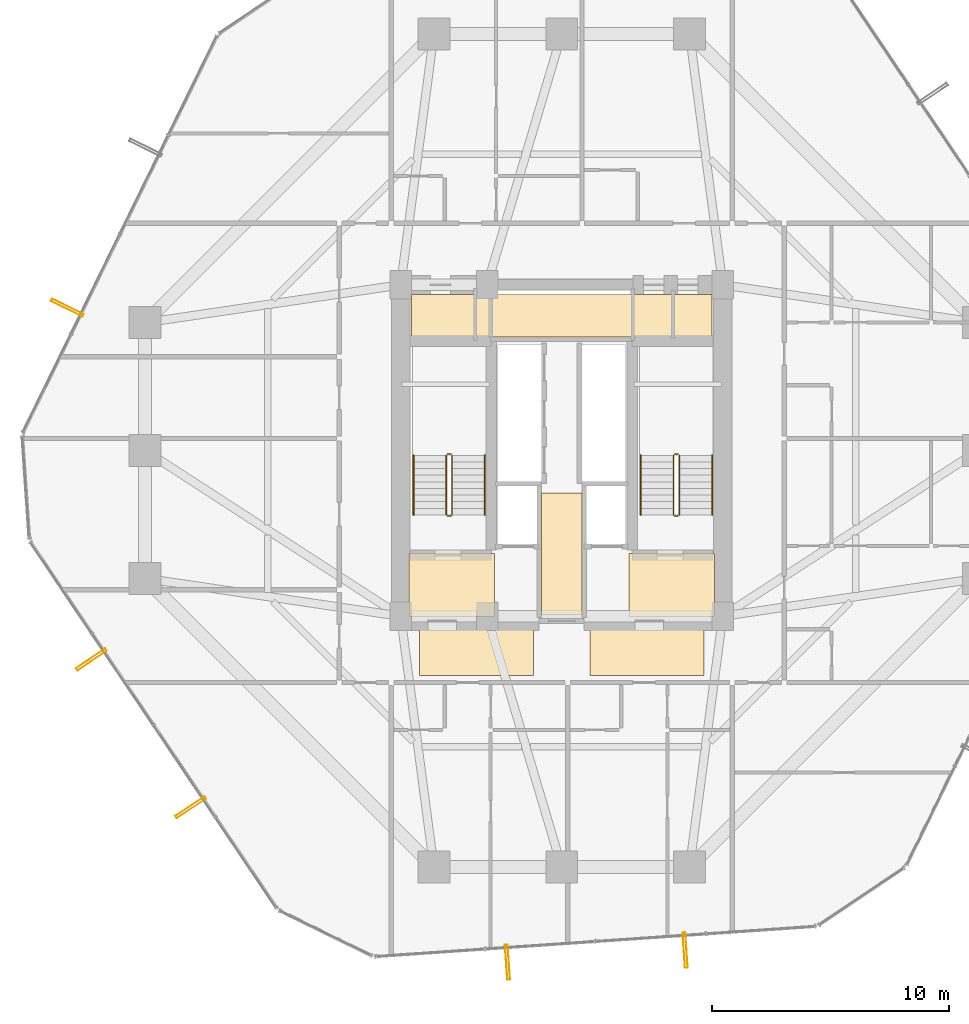
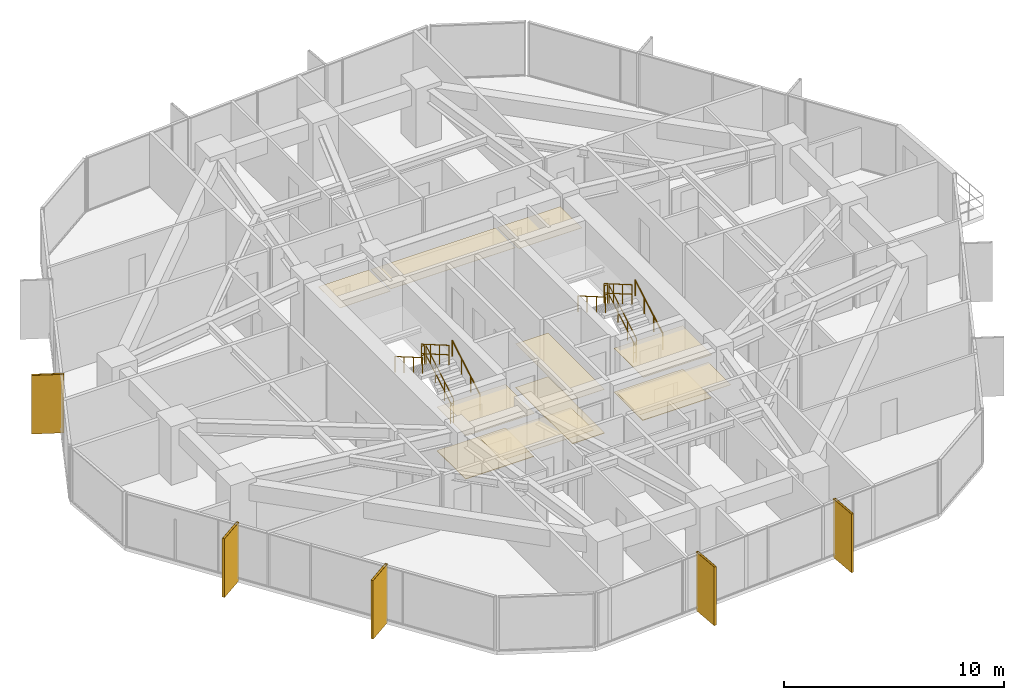
# One storey, part 36 of 37: 12 railings, 11 coverings, 5 shading devices.
"""IFC4 building model written with IfcOpenShell, lengths in metres."""

from ifc_helpers import new_model, si_unit, direction, frame, origin, origin_2d, place, context, subcontext, project, spatial, polyline, hollow_rectangle, circle, outline, extrude, material, layer, layer_set, material_profile, profile_set, type_object, element, save


model = new_model("IFC4")

# Units and contexts
model_context = context("Model", 3, precision=1e-05, world=origin(), true_north=direction((0.0, 1.0)))
body_context = subcontext(model_context, "Body", "Model", "MODEL_VIEW")
ifc_project = project(units=[si_unit("LENGTHUNIT", "METRE"), si_unit("AREAUNIT", "SQUARE_METRE"), si_unit("VOLUMEUNIT", "CUBIC_METRE"), si_unit("PLANEANGLEUNIT", "RADIAN"), si_unit("MASSUNIT", "GRAM", prefix="KILO")], contexts=[model_context])

# Site, building, storey
site_placement = place(None, origin())
site = spatial("IfcSite", under=ifc_project, at=site_placement, CompositionType="ELEMENT")
building_placement = place(site_placement, origin())
building = spatial("IfcBuilding", under=site, at=building_placement, Name="Veraguas Prism Commons", CompositionType="ELEMENT")
storey_placement = place(building_placement, frame((0.0, 0.0, 37.050048828125)))
storey = spatial("IfcBuildingStorey", under=building, at=storey_placement, Name="L09", CompositionType="ELEMENT", Elevation=37.050048828125)

# Shading devices
ifc_material_1 = material(Name="Anodised aluminium EN AW-6063 T6", Category="aluminium")
ifc_material_profile = material_profile(ifc_material_1, hollow_rectangle(XDim=0.1201171875, YDim=1.489990234375, WallThickness=0.006103515625, at=origin_2d()), Name="FIN120X1490X6")
ifc_profile_set = profile_set([ifc_material_profile], Name="Anodised aluminium EN AW-6063 T6")
shading_device_type = type_object("IfcShadingDeviceType", Name="Deep Pale-Metal Vertical Solar Fin 120x1490", PredefinedType="USERDEFINED", material=ifc_profile_set)
for number, where, z_axis, x_axis, name in (
    (1, (3.116943359375, 30.034423828125, -0.22998046875), (0.0, 0.0, 1.0), (-0.439627239921, -0.898180321494, 0.0), "Vertical Pale-Metal Solar Fin L09-F3B"),
    (2, (4.13525390625, 15.17333984375, -0.22998046875), (0.0, 0.0, 1.0), (0.558036252242, -0.829816570806, 0.0), "Vertical Pale-Metal Solar Fin L09-F4A"),
    (3, (8.33251953125, 8.931884765625, -0.22998046875), (0.0, 0.0, 1.0), (0.558036252242, -0.829816570806, 0.0), "Vertical Pale-Metal Solar Fin L09-F4B"),
    (4, (21.711669921875, 2.38330078125, -0.22998046875), (0.0, 0.0, 1.0), (0.997660476238, 0.068363544026, 0.0), "Vertical Pale-Metal Solar Fin L09-F5A"),
    (5, (29.215576171875, 2.897705078125, -0.22998046875), (0.0, 0.0, 1.0), (0.997660476238, 0.068363544026, 0.0), "Vertical Pale-Metal Solar Fin L09-F5B"),
):
    element("IfcShadingDevice", number, at=place(storey_placement, frame(where, z_axis=z_axis, x_axis=x_axis)), inside=storey, type_object=shading_device_type, Name=name, ObjectType="FIN", PredefinedType="USERDEFINED", context=body_context, shape_type="SweptSolid", body=[
        extrude(hollow_rectangle(XDim=0.1201171875, YDim=1.489990234375, WallThickness=0.006103515625, at=origin_2d()), origin(), (0.0, 0.0, 1.0), 3.25),
    ])

# Coverings
ifc_material_2 = material(Name="Acoustic gypsum board")
ifc_layer_1 = layer(ifc_material_2, 0.02490234375, Name="Perforated Acoustic Ceiling Tile 25")
ifc_layer_set_1 = layer_set([ifc_layer_1], Name="Acoustic gypsum board")
covering_type_1 = type_object("IfcCoveringType", Name="Perforated Acoustic Ceiling Tile 25", PredefinedType="USERDEFINED", material=ifc_layer_set_1)
covering_1_placement = place(storey_placement, frame((0.0, 0.0, 2.425048828125)))
element("IfcCovering", 6, at=covering_1_placement, inside=storey, type_object=covering_type_1, Name="East Lobby Acoustic Ceiling L09", ObjectType="ACOUSTIC CEILING", PredefinedType="USERDEFINED", context=body_context, shape_type="SweptSolid", body=[
    extrude(outline(polyline([(26.85009765625, 17.0), (30.449951171875, 17.0), (30.449951171875, 19.64990234375), (26.85009765625, 19.64990234375), (26.85009765625, 17.0)])), origin(), (0.0, 0.0, 1.0), 0.02490234375),
])
ifc_material_3 = material(Name="Terrazzo stone finish", Category="masonry")
ifc_layer_2 = layer(ifc_material_3, 0.030029296875, Name="Polished Terrazzo Floor Finish 30", Category="masonry")
ifc_layer_set_2 = layer_set([ifc_layer_2], Name="Terrazzo stone finish")
covering_type_2 = type_object("IfcCoveringType", Name="Polished Terrazzo Floor Finish 30", PredefinedType="FLOORING", material=ifc_layer_set_2)
covering_2_placement = place(storey_placement, origin())
element("IfcCovering", 7, at=covering_2_placement, inside=storey, type_object=covering_type_2, Name="Terrazzo Lobby Flooring L09", PredefinedType="FLOORING", context=body_context, shape_type="SweptSolid", body=[
    extrude(outline(polyline([(23.14990234375, 17.050048828125), (24.85009765625, 17.050048828125), (24.85009765625, 22.199951171875), (23.14990234375, 22.199951171875), (23.14990234375, 17.050048828125)])), origin(), (0.0, 0.0, 1.0), 0.030029296875),
])
covering_3_placement = place(storey_placement, origin())
element("IfcCovering", 8, at=covering_3_placement, inside=storey, type_object=covering_type_2, Name="West FF Lobby Terrazzo Flooring L09", PredefinedType="FLOORING", context=body_context, shape_type="SweptSolid", body=[
    extrude(outline(polyline([(17.550048828125, 17.050048828125), (21.14990234375, 17.050048828125), (21.14990234375, 19.64990234375), (17.550048828125, 19.64990234375), (17.550048828125, 17.050048828125)])), origin(), (0.0, 0.0, 1.0), 0.030029296875),
])
covering_4_placement = place(storey_placement, origin())
element("IfcCovering", 9, at=covering_4_placement, inside=storey, type_object=covering_type_2, Name="East FF Lobby Terrazzo Flooring L09", PredefinedType="FLOORING", context=body_context, shape_type="SweptSolid", body=[
    extrude(outline(polyline([(26.85009765625, 17.050048828125), (30.449951171875, 17.050048828125), (30.449951171875, 19.64990234375), (26.85009765625, 19.64990234375), (26.85009765625, 17.050048828125)])), origin(), (0.0, 0.0, 1.0), 0.030029296875),
])

# Railings
ifc_material_4 = material(Name="Stainless steel AISI 316", Category="steel")
railing_type_1 = type_object("IfcRailingType", Name="Stair and Ramp Stainless Handrail 900", PredefinedType="HANDRAIL", material=ifc_material_4)
railing_1_placement = place(storey_placement, frame((20.75, 21.280029296875, 0.162353515625)))
element("IfcRailing", 10, at=railing_1_placement, inside=storey, type_object=railing_type_1, Name="Stair Handrail ST-01 L09-1", PredefinedType="HANDRAIL", context=body_context, shape_type="SweptSolid", body=[
    extrude(circle(Radius=0.02392578125, at=origin_2d()), frame((0.0, 0.0, 0.8759765625), z_axis=(0.0, 0.864876961378, 0.501983905795), x_axis=(-1.0, 0.0, 0.0)), (0.0, 0.0, 1.0), 2.913818359375),
    extrude(circle(Radius=0.02099609375, at=origin_2d()), origin(), (0.0, 0.0, 1.0), 0.851806640625),
    extrude(circle(Radius=0.02099609375, at=origin_2d()), frame((0.0, 0.840087890625, 0.487548828125)), (0.0, 0.0, 1.0), 0.851806640625),
    extrude(circle(Radius=0.02099609375, at=origin_2d()), frame((0.0, 1.679931640625, 0.97509765625)), (0.0, 0.0, 1.0), 0.851806640625),
    extrude(circle(Radius=0.02099609375, at=origin_2d()), frame((0.0, 2.52001953125, 1.462646484375)), (0.0, 0.0, 1.0), 0.851806640625),
])
railing_2_placement = place(storey_placement, frame((17.739990234375, 23.800048828125, 1.787353515625)))
element("IfcRailing", 11, at=railing_2_placement, inside=storey, type_object=railing_type_1, Name="Stair Handrail ST-01 L09-2", PredefinedType="HANDRAIL", context=body_context, shape_type="SweptSolid", body=[
    extrude(circle(Radius=0.02392578125, at=origin_2d()), frame((0.0, 0.0, 0.8759765625), z_axis=(0.0, -0.864876961378, 0.501983905795), x_axis=(1.0, 0.0, 0.0)), (0.0, 0.0, 1.0), 2.913818359375),
    extrude(circle(Radius=0.02099609375, at=origin_2d()), origin(), (0.0, 0.0, 1.0), 0.851806640625),
    extrude(circle(Radius=0.02099609375, at=origin_2d()), frame((0.0, -0.840087890625, 0.487548828125)), (0.0, 0.0, 1.0), 0.851806640625),
    extrude(circle(Radius=0.02099609375, at=origin_2d()), frame((0.0, -1.679931640625, 0.97509765625)), (0.0, 0.0, 1.0), 0.851806640625),
    extrude(circle(Radius=0.02099609375, at=origin_2d()), frame((0.0, -2.52001953125, 1.462646484375)), (0.0, 0.0, 1.0), 0.851806640625),
])
railing_3_placement = place(storey_placement, frame((30.35009765625, 21.280029296875, 0.162353515625)))
element("IfcRailing", 12, at=railing_3_placement, inside=storey, type_object=railing_type_1, Name="Stair Handrail ST-02 L09-1", PredefinedType="HANDRAIL", context=body_context, shape_type="SweptSolid", body=[
    extrude(circle(Radius=0.02392578125, at=origin_2d()), frame((0.0, 0.0, 0.8759765625), z_axis=(0.0, 0.864876961378, 0.501983905795), x_axis=(-1.0, 0.0, 0.0)), (0.0, 0.0, 1.0), 2.913818359375),
    extrude(circle(Radius=0.02099609375, at=origin_2d()), origin(), (0.0, 0.0, 1.0), 0.851806640625),
    extrude(circle(Radius=0.02099609375, at=origin_2d()), frame((0.0, 0.840087890625, 0.487548828125)), (0.0, 0.0, 1.0), 0.851806640625),
    extrude(circle(Radius=0.02099609375, at=origin_2d()), frame((0.0, 1.679931640625, 0.97509765625)), (0.0, 0.0, 1.0), 0.851806640625),
    extrude(circle(Radius=0.02099609375, at=origin_2d()), frame((0.0, 2.52001953125, 1.462646484375)), (0.0, 0.0, 1.0), 0.851806640625),
])
railing_4_placement = place(storey_placement, frame((27.340087890625, 23.800048828125, 1.787353515625)))
element("IfcRailing", 13, at=railing_4_placement, inside=storey, type_object=railing_type_1, Name="Stair Handrail ST-02 L09-2", PredefinedType="HANDRAIL", context=body_context, shape_type="SweptSolid", body=[
    extrude(circle(Radius=0.02392578125, at=origin_2d()), frame((0.0, 0.0, 0.8759765625), z_axis=(0.0, -0.864876961378, 0.501983905795), x_axis=(1.0, 0.0, 0.0)), (0.0, 0.0, 1.0), 2.913818359375),
    extrude(circle(Radius=0.02099609375, at=origin_2d()), origin(), (0.0, 0.0, 1.0), 0.851806640625),
    extrude(circle(Radius=0.02099609375, at=origin_2d()), frame((0.0, -0.840087890625, 0.487548828125)), (0.0, 0.0, 1.0), 0.851806640625),
    extrude(circle(Radius=0.02099609375, at=origin_2d()), frame((0.0, -1.679931640625, 0.97509765625)), (0.0, 0.0, 1.0), 0.851806640625),
    extrude(circle(Radius=0.02099609375, at=origin_2d()), frame((0.0, -2.52001953125, 1.462646484375)), (0.0, 0.0, 1.0), 0.851806640625),
])
railing_type_2 = type_object("IfcRailingType", Name="Stairwell Safety Guardrail 1100", PredefinedType="GUARDRAIL", material=ifc_material_4)
railing_5_placement = place(storey_placement, frame((19.3701171875, 21.280029296875, 0.162353515625)))
element("IfcRailing", 14, at=railing_5_placement, inside=storey, type_object=railing_type_2, Name="Stair Guard ST-01 L09-1", PredefinedType="GUARDRAIL", context=body_context, shape_type="SweptSolid", body=[
    extrude(circle(Radius=0.02392578125, at=origin_2d()), frame((0.0, 0.0, 1.076171875), z_axis=(0.0, 0.864876961378, 0.501983905795), x_axis=(-1.0, 0.0, 0.0)), (0.0, 0.0, 1.0), 2.913818359375),
    extrude(circle(Radius=0.02392578125, at=origin_2d()), frame((0.0, 0.0, 0.550048828125), z_axis=(0.0, 0.864876961378, 0.501983905795), x_axis=(-1.0, 0.0, 0.0)), (0.0, 0.0, 1.0), 2.913818359375),
    extrude(circle(Radius=0.02099609375, at=origin_2d()), origin(), (0.0, 0.0, 1.0), 1.052001953125),
    extrude(circle(Radius=0.02099609375, at=origin_2d()), frame((0.0, 0.840087890625, 0.487548828125)), (0.0, 0.0, 1.0), 1.052001953125),
    extrude(circle(Radius=0.02099609375, at=origin_2d()), frame((0.0, 1.679931640625, 0.97509765625)), (0.0, 0.0, 1.0), 1.052001953125),
    extrude(circle(Radius=0.02099609375, at=origin_2d()), frame((0.0, 2.52001953125, 1.462646484375)), (0.0, 0.0, 1.0), 1.052001953125),
])
railing_6_placement = place(storey_placement, frame((19.320068359375, 23.85009765625, 1.625)))
element("IfcRailing", 15, at=railing_6_placement, inside=storey, type_object=railing_type_2, Name="Stair Guard ST-01 L09-2", PredefinedType="GUARDRAIL", context=body_context, shape_type="SweptSolid", body=[
    extrude(circle(Radius=0.02392578125, at=origin_2d()), frame((0.0, 0.0, 1.076171875), z_axis=(-1.0, 0.0, 0.0), x_axis=(0.0, -1.0, 0.0)), (0.0, 0.0, 1.0), 0.150146484375),
    extrude(circle(Radius=0.02392578125, at=origin_2d()), frame((0.0, 0.0, 0.550048828125), z_axis=(-1.0, 0.0, 0.0), x_axis=(0.0, -1.0, 0.0)), (0.0, 0.0, 1.0), 0.150146484375),
    extrude(circle(Radius=0.02099609375, at=origin_2d()), origin(), (0.0, 0.0, 1.0), 1.052001953125),
    extrude(circle(Radius=0.02099609375, at=origin_2d()), frame((-0.150146484375, 0.0, 0.0)), (0.0, 0.0, 1.0), 1.052001953125),
])
railing_7_placement = place(storey_placement, frame((19.1201171875, 23.800048828125, 1.787353515625)))
element("IfcRailing", 16, at=railing_7_placement, inside=storey, type_object=railing_type_2, Name="Stair Guard ST-01 L09-3", PredefinedType="GUARDRAIL", context=body_context, shape_type="SweptSolid", body=[
    extrude(circle(Radius=0.02392578125, at=origin_2d()), frame((0.0, 0.0, 1.076171875), z_axis=(0.0, -0.864876961378, 0.501983905795), x_axis=(1.0, 0.0, 0.0)), (0.0, 0.0, 1.0), 2.913818359375),
    extrude(circle(Radius=0.02392578125, at=origin_2d()), frame((0.0, 0.0, 0.550048828125), z_axis=(0.0, -0.864876961378, 0.501983905795), x_axis=(1.0, 0.0, 0.0)), (0.0, 0.0, 1.0), 2.913818359375),
    extrude(circle(Radius=0.02099609375, at=origin_2d()), origin(), (0.0, 0.0, 1.0), 1.052001953125),
    extrude(circle(Radius=0.02099609375, at=origin_2d()), frame((0.0, -0.840087890625, 0.487548828125)), (0.0, 0.0, 1.0), 1.052001953125),
    extrude(circle(Radius=0.02099609375, at=origin_2d()), frame((0.0, -1.679931640625, 0.97509765625)), (0.0, 0.0, 1.0), 1.052001953125),
    extrude(circle(Radius=0.02099609375, at=origin_2d()), frame((0.0, -2.52001953125, 1.462646484375)), (0.0, 0.0, 1.0), 1.052001953125),
])
railing_8_placement = place(storey_placement, frame((19.320068359375, 21.22998046875, 0.0)))
element("IfcRailing", 17, at=railing_8_placement, inside=storey, type_object=railing_type_2, Name="Stair Guard ST-01 L09-4", PredefinedType="GUARDRAIL", context=body_context, shape_type="SweptSolid", body=[
    extrude(circle(Radius=0.02392578125, at=origin_2d()), frame((0.0, 0.0, 1.076171875), z_axis=(-1.0, 0.0, 0.0), x_axis=(0.0, -1.0, 0.0)), (0.0, 0.0, 1.0), 0.150146484375),
    extrude(circle(Radius=0.02392578125, at=origin_2d()), frame((0.0, 0.0, 0.550048828125), z_axis=(-1.0, 0.0, 0.0), x_axis=(0.0, -1.0, 0.0)), (0.0, 0.0, 1.0), 0.150146484375),
    extrude(circle(Radius=0.02099609375, at=origin_2d()), origin(), (0.0, 0.0, 1.0), 1.052001953125),
    extrude(circle(Radius=0.02099609375, at=origin_2d()), frame((-0.150146484375, 0.0, 0.0)), (0.0, 0.0, 1.0), 1.052001953125),
])
railing_9_placement = place(storey_placement, frame((28.969970703125, 21.280029296875, 0.162353515625)))
element("IfcRailing", 18, at=railing_9_placement, inside=storey, type_object=railing_type_2, Name="Stair Guard ST-02 L09-1", PredefinedType="GUARDRAIL", context=body_context, shape_type="SweptSolid", body=[
    extrude(circle(Radius=0.02392578125, at=origin_2d()), frame((0.0, 0.0, 1.076171875), z_axis=(0.0, 0.864876961378, 0.501983905795), x_axis=(-1.0, 0.0, 0.0)), (0.0, 0.0, 1.0), 2.913818359375),
    extrude(circle(Radius=0.02392578125, at=origin_2d()), frame((0.0, 0.0, 0.550048828125), z_axis=(0.0, 0.864876961378, 0.501983905795), x_axis=(-1.0, 0.0, 0.0)), (0.0, 0.0, 1.0), 2.913818359375),
    extrude(circle(Radius=0.02099609375, at=origin_2d()), origin(), (0.0, 0.0, 1.0), 1.052001953125),
    extrude(circle(Radius=0.02099609375, at=origin_2d()), frame((0.0, 0.840087890625, 0.487548828125)), (0.0, 0.0, 1.0), 1.052001953125),
    extrude(circle(Radius=0.02099609375, at=origin_2d()), frame((0.0, 1.679931640625, 0.97509765625)), (0.0, 0.0, 1.0), 1.052001953125),
    extrude(circle(Radius=0.02099609375, at=origin_2d()), frame((0.0, 2.52001953125, 1.462646484375)), (0.0, 0.0, 1.0), 1.052001953125),
])
railing_10_placement = place(storey_placement, frame((28.919921875, 23.85009765625, 1.625)))
element("IfcRailing", 19, at=railing_10_placement, inside=storey, type_object=railing_type_2, Name="Stair Guard ST-02 L09-2", PredefinedType="GUARDRAIL", context=body_context, shape_type="SweptSolid", body=[
    extrude(circle(Radius=0.02392578125, at=origin_2d()), frame((0.0, 0.0, 1.076171875), z_axis=(-1.0, 0.0, 0.0), x_axis=(0.0, -1.0, 0.0)), (0.0, 0.0, 1.0), 0.14990234375),
    extrude(circle(Radius=0.02392578125, at=origin_2d()), frame((0.0, 0.0, 0.550048828125), z_axis=(-1.0, 0.0, 0.0), x_axis=(0.0, -1.0, 0.0)), (0.0, 0.0, 1.0), 0.14990234375),
    extrude(circle(Radius=0.02099609375, at=origin_2d()), origin(), (0.0, 0.0, 1.0), 1.052001953125),
    extrude(circle(Radius=0.02099609375, at=origin_2d()), frame((-0.14990234375, 0.0, 0.0)), (0.0, 0.0, 1.0), 1.052001953125),
])
railing_11_placement = place(storey_placement, frame((28.719970703125, 23.800048828125, 1.787353515625)))
element("IfcRailing", 20, at=railing_11_placement, inside=storey, type_object=railing_type_2, Name="Stair Guard ST-02 L09-3", PredefinedType="GUARDRAIL", context=body_context, shape_type="SweptSolid", body=[
    extrude(circle(Radius=0.02392578125, at=origin_2d()), frame((0.0, 0.0, 1.076171875), z_axis=(0.0, -0.864876961378, 0.501983905795), x_axis=(1.0, 0.0, 0.0)), (0.0, 0.0, 1.0), 2.913818359375),
    extrude(circle(Radius=0.02392578125, at=origin_2d()), frame((0.0, 0.0, 0.550048828125), z_axis=(0.0, -0.864876961378, 0.501983905795), x_axis=(1.0, 0.0, 0.0)), (0.0, 0.0, 1.0), 2.913818359375),
    extrude(circle(Radius=0.02099609375, at=origin_2d()), origin(), (0.0, 0.0, 1.0), 1.052001953125),
    extrude(circle(Radius=0.02099609375, at=origin_2d()), frame((0.0, -0.840087890625, 0.487548828125)), (0.0, 0.0, 1.0), 1.052001953125),
    extrude(circle(Radius=0.02099609375, at=origin_2d()), frame((0.0, -1.679931640625, 0.97509765625)), (0.0, 0.0, 1.0), 1.052001953125),
    extrude(circle(Radius=0.02099609375, at=origin_2d()), frame((0.0, -2.52001953125, 1.462646484375)), (0.0, 0.0, 1.0), 1.052001953125),
])
railing_12_placement = place(storey_placement, frame((28.919921875, 21.22998046875, 0.0)))
element("IfcRailing", 21, at=railing_12_placement, inside=storey, type_object=railing_type_2, Name="Stair Guard ST-02 L09-4", PredefinedType="GUARDRAIL", context=body_context, shape_type="SweptSolid", body=[
    extrude(circle(Radius=0.02392578125, at=origin_2d()), frame((0.0, 0.0, 1.076171875), z_axis=(-1.0, 0.0, 0.0), x_axis=(0.0, -1.0, 0.0)), (0.0, 0.0, 1.0), 0.14990234375),
    extrude(circle(Radius=0.02392578125, at=origin_2d()), frame((0.0, 0.0, 0.550048828125), z_axis=(-1.0, 0.0, 0.0), x_axis=(0.0, -1.0, 0.0)), (0.0, 0.0, 1.0), 0.14990234375),
    extrude(circle(Radius=0.02099609375, at=origin_2d()), origin(), (0.0, 0.0, 1.0), 1.052001953125),
    extrude(circle(Radius=0.02099609375, at=origin_2d()), frame((-0.14990234375, 0.0, 0.0)), (0.0, 0.0, 1.0), 1.052001953125),
])

# Coverings
ifc_layer_3 = layer(ifc_material_2, 0.02001953125, Name="Suspended Gypsum Ceiling 20")
ifc_layer_set_3 = layer_set([ifc_layer_3], Name="Acoustic gypsum board")
covering_type_3 = type_object("IfcCoveringType", Name="Suspended Gypsum Ceiling 20", PredefinedType="CEILING", material=ifc_layer_set_3)
covering_5_placement = place(storey_placement, frame((0.0, 0.0, 2.429931640625)))
element("IfcCovering", 22, at=covering_5_placement, inside=storey, type_object=covering_type_3, Name="West Lobby Suspended Gypsum Ceiling L09", PredefinedType="CEILING", context=body_context, shape_type="SweptSolid", body=[
    extrude(outline(polyline([(17.550048828125, 17.0), (21.14990234375, 17.0), (21.14990234375, 19.64990234375), (17.550048828125, 19.64990234375), (17.550048828125, 17.0)])), origin(), (0.0, 0.0, 1.0), 0.02001953125),
])
covering_6_placement = place(storey_placement, frame((0.0, 0.0, 2.429931640625)))
element("IfcCovering", 23, at=covering_6_placement, inside=storey, type_object=covering_type_3, Name="Core Lobby Acoustic Ceiling L09-1", PredefinedType="CEILING", context=body_context, shape_type="SweptSolid", body=[
    extrude(outline(polyline([(18.0, 14.5), (22.800048828125, 14.5), (22.800048828125, 16.550048828125), (18.0, 16.550048828125), (18.0, 14.5)])), origin(), (0.0, 0.0, 1.0), 0.02001953125),
])
covering_7_placement = place(storey_placement, frame((0.0, 0.0, 2.429931640625)))
element("IfcCovering", 24, at=covering_7_placement, inside=storey, type_object=covering_type_3, Name="Core Lobby Acoustic Ceiling L09-2", PredefinedType="CEILING", context=body_context, shape_type="SweptSolid", body=[
    extrude(outline(polyline([(25.199951171875, 14.5), (30.0, 14.5), (30.0, 16.550048828125), (25.199951171875, 16.550048828125), (25.199951171875, 14.5)])), origin(), (0.0, 0.0, 1.0), 0.02001953125),
])
covering_8_placement = place(storey_placement, frame((0.0, 0.0, 2.429931640625)))
element("IfcCovering", 25, at=covering_8_placement, inside=storey, type_object=covering_type_3, Name="Core Lobby Acoustic Ceiling L09-3", PredefinedType="CEILING", context=body_context, shape_type="SweptSolid", body=[
    extrude(outline(polyline([(23.14990234375, 17.050048828125), (24.85009765625, 17.050048828125), (24.85009765625, 22.199951171875), (23.14990234375, 22.199951171875), (23.14990234375, 17.050048828125)])), origin(), (0.0, 0.0, 1.0), 0.02001953125),
])
covering_9_placement = place(storey_placement, frame((0.0, 0.0, 2.429931640625)))
element("IfcCovering", 26, at=covering_9_placement, inside=storey, type_object=covering_type_3, Name="Core Lobby Acoustic Ceiling L09-4", PredefinedType="CEILING", context=body_context, shape_type="SweptSolid", body=[
    extrude(outline(polyline([(17.64990234375, 28.64990234375), (20.300048828125, 28.64990234375), (20.300048828125, 30.60009765625), (17.64990234375, 30.60009765625), (17.64990234375, 28.64990234375)])), origin(), (0.0, 0.0, 1.0), 0.02001953125),
])
covering_10_placement = place(storey_placement, frame((0.0, 0.0, 2.429931640625)))
element("IfcCovering", 27, at=covering_10_placement, inside=storey, type_object=covering_type_3, Name="Core Lobby Acoustic Ceiling L09-5", PredefinedType="CEILING", context=body_context, shape_type="SweptSolid", body=[
    extrude(outline(polyline([(27.050048828125, 28.64990234375), (30.35009765625, 28.64990234375), (30.35009765625, 30.60009765625), (27.050048828125, 30.60009765625), (27.050048828125, 28.64990234375)])), origin(), (0.0, 0.0, 1.0), 0.02001953125),
])
covering_11_placement = place(storey_placement, frame((0.0, 0.0, 2.429931640625)))
element("IfcCovering", 28, at=covering_11_placement, inside=storey, type_object=covering_type_3, Name="Core Lobby Acoustic Ceiling L09-6", PredefinedType="CEILING", context=body_context, shape_type="SweptSolid", body=[
    extrude(outline(polyline([(20.39990234375, 28.800048828125), (26.949951171875, 28.800048828125), (26.949951171875, 30.60009765625), (20.39990234375, 30.60009765625), (20.39990234375, 28.800048828125)])), origin(), (0.0, 0.0, 1.0), 0.02001953125),
])

save(model, "model.ifc")
